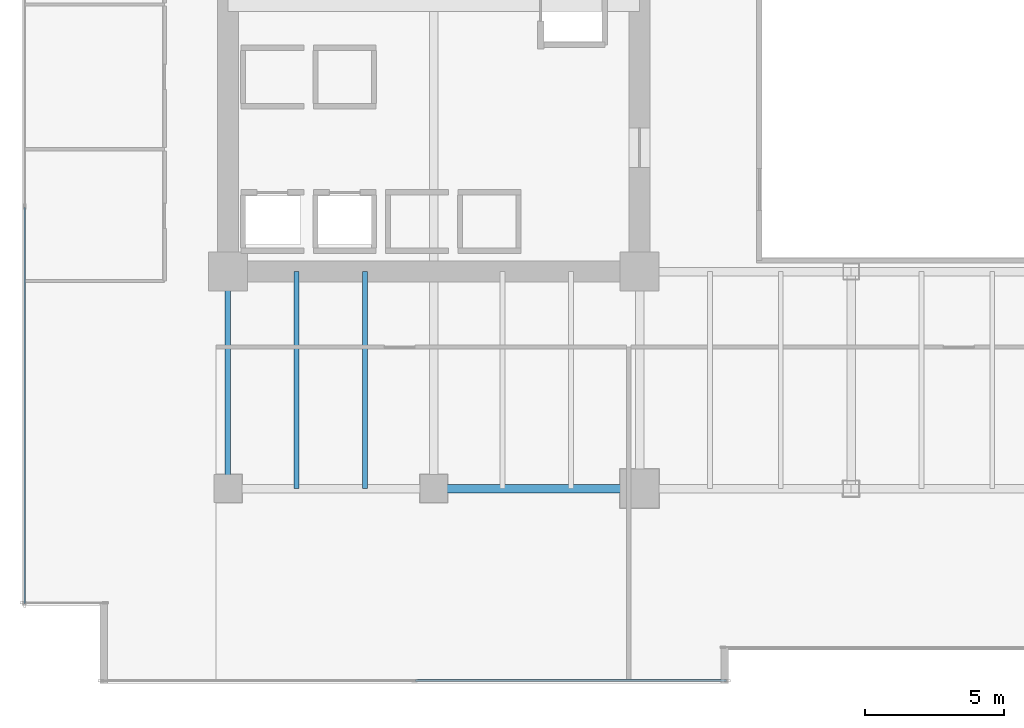
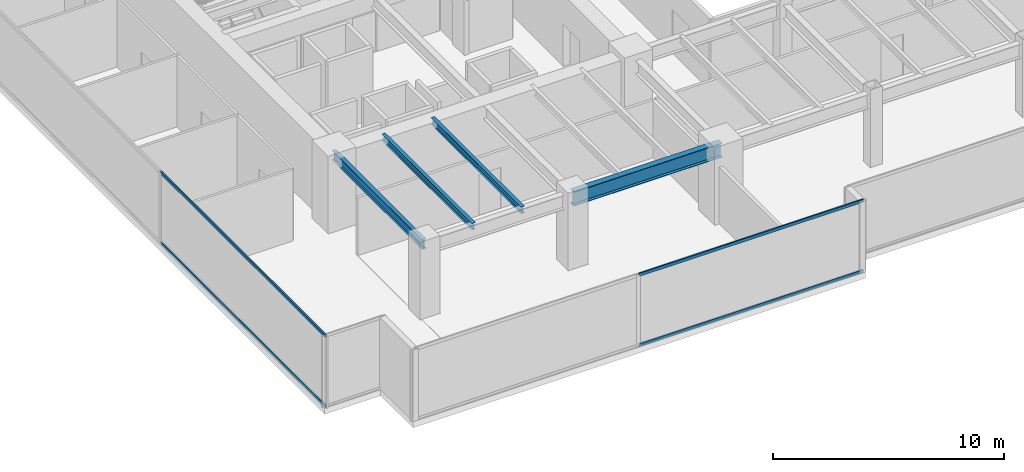
# One storey, part 3 of 36: 4 beams, 4 members, 2 elements without a shape of their own.
"""IFC4 building model written with IfcOpenShell, lengths in metres."""

from ifc_helpers import new_model, si_unit, direction, frame, origin, origin_2d, place, context, subcontext, project, spatial, hollow_rectangle, i_section, extrude, source, transform, mapped, material, layer, layer_set, material_profile, profile_set, type_object, type_shapes, element, aggregate, save


model = new_model("IFC4")

# Units and contexts
model_context = context("Model", 3, precision=1e-05, world=origin(), true_north=direction((0.0, 1.0)))
body_context = subcontext(model_context, "Body", "Model", "MODEL_VIEW")
ifc_project = project(units=[si_unit("LENGTHUNIT", "METRE"), si_unit("AREAUNIT", "SQUARE_METRE"), si_unit("VOLUMEUNIT", "CUBIC_METRE"), si_unit("PLANEANGLEUNIT", "RADIAN"), si_unit("MASSUNIT", "GRAM", prefix="KILO")], contexts=[model_context])

# Site, building, storey
site_placement = place(None, origin())
site = spatial("IfcSite", under=ifc_project, at=site_placement, CompositionType="ELEMENT")
building_placement = place(site_placement, origin())
building = spatial("IfcBuilding", under=site, at=building_placement, Name="Haelvirn Gate Laboratories", CompositionType="ELEMENT")
storey_placement = place(building_placement, frame((0.0, 0.0, 49.800048828125)))
storey = spatial("IfcBuildingStorey", under=building, at=storey_placement, Name="L12", CompositionType="ELEMENT", Elevation=49.800048828125)

# Beams
ifc_material_1 = material(Name="Steel SM355", Category="steel")
ifc_material_profile_1 = material_profile(ifc_material_1, i_section(OverallWidth=0.300048828125, OverallDepth=0.75, WebThickness=0.013916015625, FlangeThickness=0.02392578125, at=origin_2d()), Name="H-750x300x14x24")
ifc_profile_set_1 = profile_set([ifc_material_profile_1], Name="Steel SM355")
beam_type_1 = type_object("IfcBeamType", Name="BM-G-750", PredefinedType="BEAM", material=ifc_profile_set_1)
shared_shape_1 = source(origin(), body_context, "Body", "SweptSolid", [
    extrude(i_section(OverallWidth=0.300048828125, OverallDepth=0.75, WebThickness=0.013916015625, FlangeThickness=0.02392578125, at=origin_2d()), origin(), (0.0, 0.0, 1.0), 7.39990234375),
])
type_shapes(beam_type_1, [shared_shape_1])
beam_1_placement = place(storey_placement, frame((14.800048828125, 7.0, 3.405029296875), z_axis=(1.0, 0.0, 0.0), x_axis=(0.0, 1.0, 0.0)))
element("IfcBeam", 1, at=beam_1_placement, inside=storey, type_object=beam_type_1, Name="L12 Primary Girder Y7.0 (14.8-22.2)", PredefinedType="BEAM", context=body_context, shape_type="MappedRepresentation", body=[
    mapped(shared_shape_1, transform((0.0, 0.0, 0.0), scale=1.0)),
])
ifc_material_profile_2 = material_profile(ifc_material_1, i_section(OverallWidth=0.199951171875, OverallDepth=0.5, WebThickness=0.010009765625, FlangeThickness=0.01611328125, at=origin_2d()), Name="H-500x200x10x16")
ifc_profile_set_2 = profile_set([ifc_material_profile_2], Name="Steel SM355")
beam_type_2 = type_object("IfcBeamType", Name="BM-SP-500", PredefinedType="SPANDREL", material=ifc_profile_set_2)
shared_shape_2 = source(origin(), body_context, "Body", "SweptSolid", [
    extrude(i_section(OverallWidth=0.199951171875, OverallDepth=0.5, WebThickness=0.010009765625, FlangeThickness=0.01611328125, at=origin_2d()), origin(), (0.0, 0.0, 1.0), 7.800048828125),
])
type_shapes(beam_type_2, [shared_shape_2])
beam_2_placement = place(storey_placement, frame((7.39990234375, 7.0, 3.530029296875), z_axis=(0.0, 1.0, 0.0), x_axis=(-1.0, 0.0, 0.0)))
element("IfcBeam", 2, at=beam_2_placement, inside=storey, type_object=beam_type_2, Name="L12 Perimeter Spandrel X7.4 (7.0-14.8)", PredefinedType="SPANDREL", context=body_context, shape_type="MappedRepresentation", body=[
    mapped(shared_shape_2, transform((0.0, 0.0, 0.0), scale=1.0)),
])
ifc_material_profile_3 = material_profile(ifc_material_1, i_section(OverallWidth=0.175048828125, OverallDepth=0.35009765625, WebThickness=0.007080078125, FlangeThickness=0.010986328125, at=origin_2d()), Name="H-350x175x7x11")
ifc_profile_set_3 = profile_set([ifc_material_profile_3], Name="Steel SM355")
beam_type_3 = type_object("IfcBeamType", Name="BM-J-350", PredefinedType="JOIST", material=ifc_profile_set_3)
shared_shape_3 = source(origin(), body_context, "Body", "SweptSolid", [
    extrude(i_section(OverallWidth=0.175048828125, OverallDepth=0.35009765625, WebThickness=0.007080078125, FlangeThickness=0.010986328125, at=origin_2d()), origin(), (0.0, 0.0, 1.0), 7.800048828125),
])
type_shapes(beam_type_3, [shared_shape_3])
for number, where, z_axis, x_axis, name in (
    (3, (9.8701171875, 7.0, 3.60498046875), (0.0, 1.0, 0.0), (-1.0, 0.0, 0.0), "L12 Composite Lab Joist South X9.87"),
    (4, (12.330078125, 7.0, 3.60498046875), (0.0, 1.0, 0.0), (-1.0, 0.0, 0.0), "L12 Composite Lab Joist South X12.33"),
):
    element("IfcBeam", number, at=place(storey_placement, frame(where, z_axis=z_axis, x_axis=x_axis)), inside=storey, type_object=beam_type_3, Name=name, PredefinedType="JOIST", context=body_context, shape_type="MappedRepresentation", body=[
        mapped(shared_shape_3, transform((0.0, 0.0, 0.0), scale=1.0)),
    ])

# Curtain wall, members
ifc_material_2 = material(Name="Anodised bronze unitised aluminium & triple low-E glass", Category="aluminium")
ifc_layer = layer(ifc_material_2, 0.18408203125, Name="CW-SYS-2")
ifc_layer_set = layer_set([ifc_layer], Name="Anodised bronze unitised aluminium & triple low-E glass")
curtain_wall_type = type_object("IfcCurtainWallType", Name="CW-SYS-2", PredefinedType="NOTDEFINED", material=ifc_layer_set)
curtain_wall_1_placement = place(storey_placement, origin())
curtain_wall_1 = element("IfcCurtainWall", 5, at=curtain_wall_1_placement, inside=storey, type_object=curtain_wall_type, Name="L12 Unitised Curtain Wall CW-L12-P0-E00-1", PredefinedType="NOTDEFINED")
ifc_material_3 = material(Name="Extruded aluminium 6063-T6 (anodised bronze)", Category="aluminium")
ifc_material_profile_4 = material_profile(ifc_material_3, hollow_rectangle(XDim=0.070068359375, YDim=0.159912109375, WallThickness=0.0048828125, at=origin_2d()), Name="CWT-160x70x5")
ifc_profile_set_4 = profile_set([ifc_material_profile_4], Name="Extruded aluminium 6063-T6 (anodised bronze)")
member_type = type_object("IfcMemberType", Name="CWT-T160", PredefinedType="USERDEFINED", material=ifc_profile_set_4)
shared_shape_4 = source(origin(), body_context, "Body", "SweptSolid", [
    extrude(hollow_rectangle(XDim=0.070068359375, YDim=0.159912109375, WallThickness=0.0048828125, at=origin_2d()), origin(), (0.0, 0.0, 1.0), 11.1875),
])
member_1_placement = place(storey_placement, frame((14.137451171875, 0.10009765625, 0.034912109375), z_axis=(1.0, 0.0, 0.0), x_axis=(0.0, 1.0, 0.0)))
member_1 = element("IfcMember", 6, at=member_1_placement, type_object=member_type, Name="CW2 transom 2.1", ObjectType="TRANSOM", PredefinedType="USERDEFINED", context=body_context, shape_type="MappedRepresentation", body=[
    mapped(shared_shape_4, transform((0.0, 0.0, 0.0), scale=1.0)),
])
member_2_placement = place(storey_placement, frame((14.137451171875, 0.10009765625, 3.744873046875), z_axis=(1.0, 0.0, 0.0), x_axis=(0.0, 1.0, 0.0)))
member_2 = element("IfcMember", 7, at=member_2_placement, type_object=member_type, Name="CW2 transom 2.2", ObjectType="TRANSOM", PredefinedType="USERDEFINED", context=body_context, shape_type="MappedRepresentation", body=[
    mapped(shared_shape_4, transform((0.0, 0.0, 0.0), scale=1.0)),
])
aggregate(curtain_wall_1, [member_1, member_2])

curtain_wall_2_placement = place(storey_placement, origin())
curtain_wall_2 = element("IfcCurtainWall", 8, at=curtain_wall_2_placement, inside=storey, type_object=curtain_wall_type, Name="L12 Unitised Curtain Wall CW-L12-P0-E17", PredefinedType="NOTDEFINED")
shared_shape_5 = source(origin(), body_context, "Body", "SweptSolid", [
    extrude(hollow_rectangle(XDim=0.070068359375, YDim=0.159912109375, WallThickness=0.0048828125, at=origin_2d()), origin(), (0.0, 0.0, 1.0), 14.220947265625),
])
type_shapes(member_type, [shared_shape_4, shared_shape_5])
member_3_placement = place(storey_placement, frame((0.10009765625, 17.095947265625, 0.034912109375), z_axis=(0.0, -1.0, 0.0), x_axis=(1.0, 0.0, 0.0)))
member_3 = element("IfcMember", 9, at=member_3_placement, type_object=member_type, Name="CW2 transom 3.1", ObjectType="TRANSOM", PredefinedType="USERDEFINED", context=body_context, shape_type="MappedRepresentation", body=[
    mapped(shared_shape_5, transform((0.0, 0.0, 0.0), scale=1.0)),
])
member_4_placement = place(storey_placement, frame((0.10009765625, 17.095947265625, 3.744873046875), z_axis=(0.0, -1.0, 0.0), x_axis=(1.0, 0.0, 0.0)))
member_4 = element("IfcMember", 10, at=member_4_placement, type_object=member_type, Name="CW2 transom 3.2", ObjectType="TRANSOM", PredefinedType="USERDEFINED", context=body_context, shape_type="MappedRepresentation", body=[
    mapped(shared_shape_5, transform((0.0, 0.0, 0.0), scale=1.0)),
])
aggregate(curtain_wall_2, [member_3, member_4])

save(model, "model.ifc")
